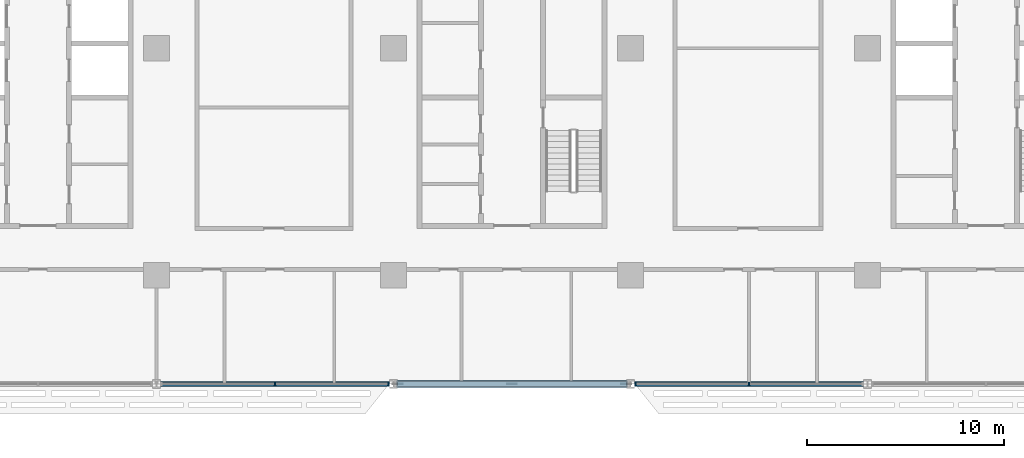
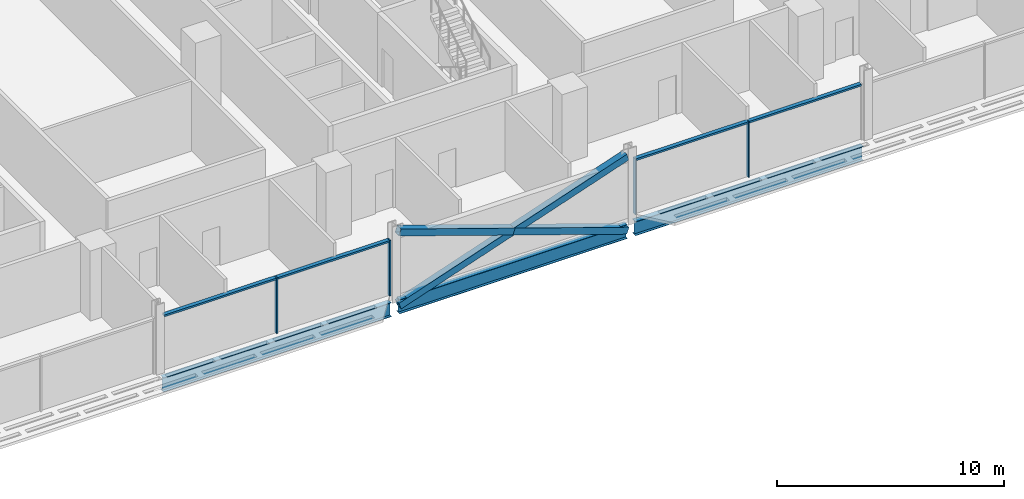
# One storey, part 5 of 29: 11 members, 3 beams, 2 elements without a shape of their own.
"""IFC4 building model written with IfcOpenShell, lengths in metres."""

from ifc_helpers import new_model, si_unit, direction, frame, origin, origin_2d, place, context, subcontext, project, spatial, rectangle, hollow_rectangle, i_section, extrude, material, material_profile, profile_set, type_object, element, aggregate, save


model = new_model("IFC4")

# Units and contexts
model_context = context("Model", 3, precision=1e-05, world=origin(), true_north=direction((0.0, 1.0)))
body_context = subcontext(model_context, "Body", "Model", "MODEL_VIEW")
ifc_project = project(units=[si_unit("LENGTHUNIT", "METRE"), si_unit("AREAUNIT", "SQUARE_METRE"), si_unit("VOLUMEUNIT", "CUBIC_METRE"), si_unit("PLANEANGLEUNIT", "RADIAN"), si_unit("MASSUNIT", "GRAM", prefix="KILO")], contexts=[model_context])

# Site, building, storey
site_placement = place(None, origin())
site = spatial("IfcSite", under=ifc_project, at=site_placement, CompositionType="ELEMENT")
building_placement = place(site_placement, origin())
building = spatial("IfcBuilding", under=site, at=building_placement, Name="Mahtab Terrace Research Tower", CompositionType="ELEMENT")
storey_placement = place(building_placement, frame((0.0, 0.0, 146.60009765625)))
storey = spatial("IfcBuildingStorey", under=building, at=storey_placement, Name="L34", CompositionType="ELEMENT", Elevation=146.60009765625)

# Members
ifc_material_1 = material(Name="Steel ASTM A500 Gr C", Category="steel")
ifc_material_profile_1 = material_profile(ifc_material_1, hollow_rectangle(XDim=0.355712890625, YDim=0.355712890625, WallThickness=0.01904296875, at=origin_2d()), Name="HSS14X14X3/4")
ifc_profile_set_1 = profile_set([ifc_material_profile_1], Name="Steel ASTM A500 Gr C")
member_type_1 = type_object("IfcMemberType", Name="HSS 14x14x3/4 brace XB141434", PredefinedType="BRACE", material=ifc_profile_set_1)
member_1_placement = place(storey_placement, frame((-5.794189453125, -17.0, -0.648193359375), z_axis=(0.946294377485, 0.0, 0.323306280699), x_axis=(0.0, 1.0, 0.0)))
element("IfcMember", 1, at=member_1_placement, inside=storey, type_object=member_type_1, Name="Exoskeleton brace L34 17 a", PredefinedType="BRACE", context=body_context, shape_type="SweptSolid", body=[
    extrude(hollow_rectangle(XDim=0.355712890625, YDim=0.355712890625, WallThickness=0.01904296875, at=origin_2d()), origin(), (0.0, 0.0, 1.0), 12.24609375),
])
for number, where, z_axis, x_axis, name in (
    (2, (5.794189453125, -17.0, -0.648193359375), (-0.946288278, 0.0, 0.323324132908), (0.0, -1.0, 0.0), "Exoskeleton brace L34 17 b1"),
    (3, (0.0, -17.0, 1.33154296875), (-0.946300476713, 0.0, 0.323288428146), (0.0, -1.0, 0.0), "Exoskeleton brace L34 17 b2"),
):
    element("IfcMember", number, at=place(storey_placement, frame(where, z_axis=z_axis, x_axis=x_axis)), inside=storey, type_object=member_type_1, Name=name, PredefinedType="BRACE", context=body_context, shape_type="SweptSolid", body=[
        extrude(hollow_rectangle(XDim=0.355712890625, YDim=0.355712890625, WallThickness=0.01904296875, at=origin_2d()), origin(), (0.0, 0.0, 1.0), 6.123046875),
    ])

# Curtain wall, members
ifc_material_2 = material(Name="Laboratory ribbon curtain wall")
curtain_wall_type = type_object("IfcCurtainWallType", Name="Laboratory ribbon curtain wall", PredefinedType="NOTDEFINED", material=ifc_material_2)
curtain_wall_1_placement = place(storey_placement, origin())
curtain_wall_1 = element("IfcCurtainWall", 4, at=curtain_wall_1_placement, inside=storey, type_object=curtain_wall_type, Name="EN.L34.13.26", PredefinedType="NOTDEFINED")
ifc_material_3 = material(Name="Natural anodised aluminium", Category="aluminium")
ifc_material_profile_2 = material_profile(ifc_material_3, rectangle(XDim=0.199951171875, YDim=0.06494140625, at=origin_2d()), Name="MULLION 65x200")
ifc_profile_set_2 = profile_set([ifc_material_profile_2], Name="Natural anodised aluminium")
member_type_2 = type_object("IfcMemberType", Name="Laboratory ribbon curtain wall mullion", PredefinedType="MULLION", material=ifc_profile_set_2)
member_2_placement = place(storey_placement, frame((-12.0, -17.0, 0.0), z_axis=(0.0, 0.0, 1.0), x_axis=(0.0, 1.0, 0.0)))
member_2 = element("IfcMember", 5, at=member_2_placement, type_object=member_type_2, Name="CWL-4 mullion 2", PredefinedType="MULLION", context=body_context, shape_type="SweptSolid", body=[
    extrude(rectangle(XDim=0.199951171875, YDim=0.06494140625, at=origin_2d()), origin(), (0.0, 0.0, 1.0), 3.0029296875),
])
member_3_placement = place(storey_placement, frame((-6.25048828125, -17.0, 0.0), z_axis=(0.0, 0.0, 1.0), x_axis=(0.0, 1.0, 0.0)))
member_3 = element("IfcMember", 6, at=member_3_placement, type_object=member_type_2, Name="CWL-4 mullion 3", PredefinedType="MULLION", context=body_context, shape_type="SweptSolid", body=[
    extrude(rectangle(XDim=0.199951171875, YDim=0.06494140625, at=origin_2d()), origin(), (0.0, 0.0, 1.0), 3.0029296875),
])

curtain_wall_2_placement = place(storey_placement, origin())
curtain_wall_2 = element("IfcCurtainWall", 7, at=curtain_wall_2_placement, inside=storey, type_object=curtain_wall_type, Name="EN.L34.13.28", PredefinedType="NOTDEFINED")
member_4_placement = place(storey_placement, frame((6.25048828125, -17.0, 0.0), z_axis=(0.0, 0.0, 1.0), x_axis=(0.0, 1.0, 0.0)))
member_4 = element("IfcMember", 8, at=member_4_placement, type_object=member_type_2, Name="CWL-4 mullion 1", PredefinedType="MULLION", context=body_context, shape_type="SweptSolid", body=[
    extrude(rectangle(XDim=0.199951171875, YDim=0.06494140625, at=origin_2d()), origin(), (0.0, 0.0, 1.0), 3.0029296875),
])
member_5_placement = place(storey_placement, frame((12.0, -17.0, 0.0), z_axis=(0.0, 0.0, 1.0), x_axis=(0.0, 1.0, 0.0)))
member_5 = element("IfcMember", 9, at=member_5_placement, type_object=member_type_2, Name="CWL-4 mullion 2", PredefinedType="MULLION", context=body_context, shape_type="SweptSolid", body=[
    extrude(rectangle(XDim=0.199951171875, YDim=0.06494140625, at=origin_2d()), origin(), (0.0, 0.0, 1.0), 3.0029296875),
])

# Member
ifc_material_profile_3 = material_profile(ifc_material_3, rectangle(XDim=0.199951171875, YDim=0.10009765625, at=origin_2d()), Name="TRANSOM 100x200")
ifc_profile_set_3 = profile_set([ifc_material_profile_3], Name="Natural anodised aluminium")
member_type_3 = type_object("IfcMemberType", Name="Laboratory ribbon curtain wall transom", PredefinedType="USERDEFINED", material=ifc_profile_set_3)
member_6_placement = place(storey_placement, frame((-17.717041015625, -17.0, 2.952880859375), z_axis=(1.0, 0.0, 0.0), x_axis=(0.0, 1.0, 0.0)))
member_6 = element("IfcMember", 10, at=member_6_placement, type_object=member_type_3, Name="CWL-4 transom 1", ObjectType="TRANSOM", PredefinedType="USERDEFINED", context=body_context, shape_type="SweptSolid", body=[
    extrude(rectangle(XDim=0.199951171875, YDim=0.10009765625, at=origin_2d()), origin(), (0.0, 0.0, 1.0), 5.6845703125),
])

member_7_placement = place(storey_placement, frame((-11.967529296875, -17.0, 2.952880859375), z_axis=(1.0, 0.0, 0.0), x_axis=(0.0, 1.0, 0.0)))
member_7 = element("IfcMember", 11, at=member_7_placement, type_object=member_type_3, Name="CWL-4 transom 2", ObjectType="TRANSOM", PredefinedType="USERDEFINED", context=body_context, shape_type="SweptSolid", body=[
    extrude(rectangle(XDim=0.199951171875, YDim=0.10009765625, at=origin_2d()), origin(), (0.0, 0.0, 1.0), 5.6845703125),
])

aggregate(curtain_wall_1, [member_2, member_3, member_6, member_7])

member_8_placement = place(storey_placement, frame((6.282958984375, -17.0, 2.952880859375), z_axis=(1.0, 0.0, 0.0), x_axis=(0.0, 1.0, 0.0)))
member_8 = element("IfcMember", 12, at=member_8_placement, type_object=member_type_3, Name="CWL-4 transom 1", ObjectType="TRANSOM", PredefinedType="USERDEFINED", context=body_context, shape_type="SweptSolid", body=[
    extrude(rectangle(XDim=0.199951171875, YDim=0.10009765625, at=origin_2d()), origin(), (0.0, 0.0, 1.0), 5.6845703125),
])

member_9_placement = place(storey_placement, frame((12.032470703125, -17.0, 2.952880859375), z_axis=(1.0, 0.0, 0.0), x_axis=(0.0, 1.0, 0.0)))
member_9 = element("IfcMember", 13, at=member_9_placement, type_object=member_type_3, Name="CWL-4 transom 2", ObjectType="TRANSOM", PredefinedType="USERDEFINED", context=body_context, shape_type="SweptSolid", body=[
    extrude(rectangle(XDim=0.199951171875, YDim=0.10009765625, at=origin_2d()), origin(), (0.0, 0.0, 1.0), 5.6845703125),
])

aggregate(curtain_wall_2, [member_4, member_5, member_8, member_9])

# Beams
ifc_material_4 = material(Name="Steel ASTM A992 Gr 50", Category="steel")
ifc_material_profile_4 = material_profile(ifc_material_4, i_section(OverallWidth=0.2666015625, OverallDepth=0.7568359375, WebThickness=0.013916015625, FlangeThickness=0.019287109375, at=origin_2d()), Name="W30X108")
ifc_profile_set_4 = profile_set([ifc_material_profile_4], Name="Steel ASTM A992 Gr 50")
beam_type = type_object("IfcBeamType", Name="W30x108 beam BS30108", PredefinedType="BEAM", material=ifc_profile_set_4)
for number, where, z_axis, x_axis, name in (
    (14, (-17.794189453125, -17.0, -0.718505859375), (1.0, 0.0, 0.0), (0.0, 1.0, 0.0), "Spandrel beam L34 16"),
    (15, (-5.794189453125, -17.0, -0.718505859375), (1.0, 0.0, 0.0), (0.0, 1.0, 0.0), "Spandrel beam L34 17"),
    (16, (6.205810546875, -17.0, -0.718505859375), (1.0, 0.0, 0.0), (0.0, 1.0, 0.0), "Spandrel beam L34 18"),
):
    element("IfcBeam", number, at=place(storey_placement, frame(where, z_axis=z_axis, x_axis=x_axis)), inside=storey, type_object=beam_type, Name=name, PredefinedType="BEAM", context=body_context, shape_type="SweptSolid", body=[
        extrude(i_section(OverallWidth=0.2666015625, OverallDepth=0.7568359375, WebThickness=0.013916015625, FlangeThickness=0.019287109375, at=origin_2d()), origin(), (0.0, 0.0, 1.0), 11.58837890625),
    ])

save(model, "model.ifc")
